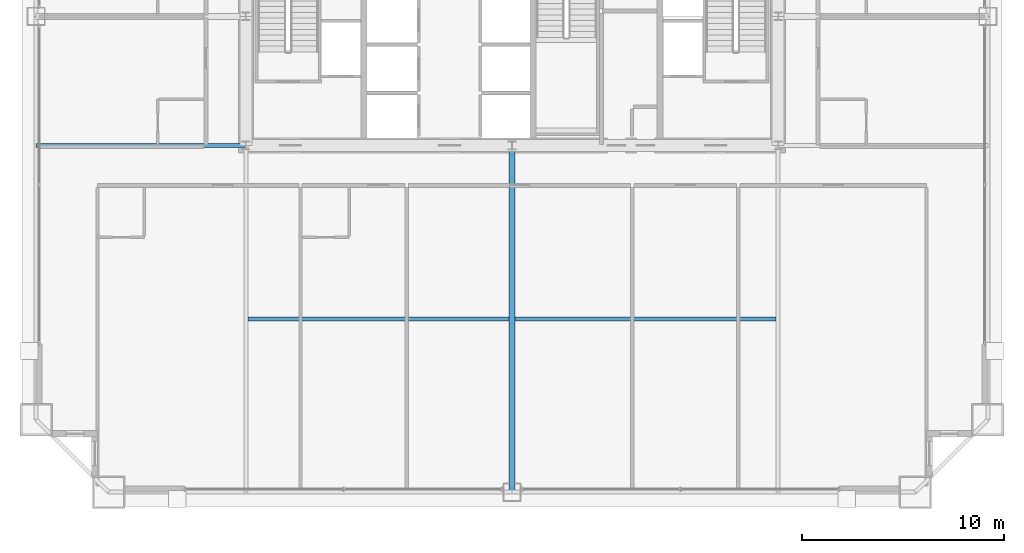
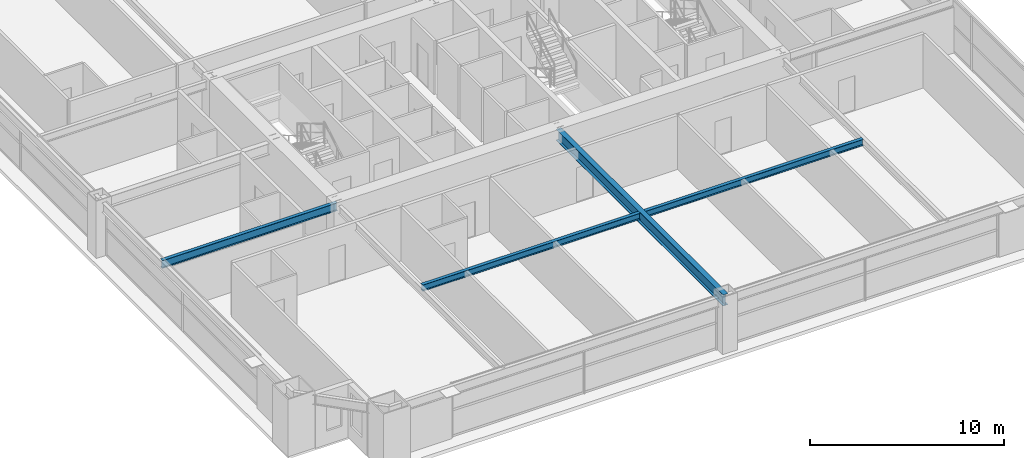
# One storey, part 11 of 39: 4 beams.
"""IFC4 building model written with IfcOpenShell, lengths in metres."""

from ifc_helpers import new_model, si_unit, direction, frame, origin, origin_2d, place, context, subcontext, project, spatial, i_section, extrude, source, transform, mapped, material, material_profile, profile_set, type_object, element, save


model = new_model("IFC4")

# Units and contexts
model_context = context("Model", 3, precision=1e-05, world=origin(), true_north=direction((0.0, 1.0)))
body_context = subcontext(model_context, "Body", "Model", "MODEL_VIEW")
ifc_project = project(units=[si_unit("LENGTHUNIT", "METRE"), si_unit("AREAUNIT", "SQUARE_METRE"), si_unit("VOLUMEUNIT", "CUBIC_METRE"), si_unit("PLANEANGLEUNIT", "RADIAN"), si_unit("MASSUNIT", "GRAM", prefix="KILO"), si_unit("THERMODYNAMICTEMPERATUREUNIT", "KELVIN"), si_unit("POWERUNIT", "WATT")], contexts=[model_context])

# Site, building, storey
site_placement = place(None, origin())
site = spatial("IfcSite", under=ifc_project, at=site_placement, CompositionType="ELEMENT")
building_placement = place(site_placement, origin())
building = spatial("IfcBuilding", under=site, at=building_placement, Name="Yuzanri Waterfront Tower", CompositionType="ELEMENT")
storey_placement = place(building_placement, frame((0.0, 0.0, 141.60009765625)))
storey = spatial("IfcBuildingStorey", under=building, at=storey_placement, Name="L37", CompositionType="ELEMENT", Elevation=141.60009765625)

# Beams
ifc_material_1 = material(Name="Steel Q355B", Category="steel")
ifc_material_profile_1 = material_profile(ifc_material_1, i_section(OverallWidth=0.199951171875, OverallDepth=0.39990234375, WebThickness=0.008056640625, FlangeThickness=0.012939453125, at=origin_2d()), Name="HN 400x200x8x13")
ifc_profile_set_1 = profile_set([ifc_material_profile_1], Name="Steel Q355B")
beam_type_1 = type_object("IfcBeamType", Name="Floor Joist Q355B HN 400x200", PredefinedType="JOIST", material=ifc_profile_set_1)
shared_shape_1 = source(origin(), body_context, "Body", "SweptSolid", [
    extrude(i_section(OverallWidth=0.199951171875, OverallDepth=0.39990234375, WebThickness=0.008056640625, FlangeThickness=0.012939453125, at=origin_2d()), origin(), (0.0, 0.0, 1.0), 12.9501953125),
])
for number, where, z_axis, x_axis, name in (
    (1, (23.89990234375, 10.800048828125, 3.179931640625), (1.0, 0.0, 0.0), (0.0, 1.0, 0.0), "L37 South Bay Joist W"),
    (2, (37.14990234375, 10.800048828125, 3.179931640625), (1.0, 0.0, 0.0), (0.0, 1.0, 0.0), "L37 South Bay Joist E"),
):
    element("IfcBeam", number, at=place(storey_placement, frame(where, z_axis=z_axis, x_axis=x_axis)), inside=storey, type_object=beam_type_1, Name=name, PredefinedType="JOIST", context=body_context, shape_type="MappedRepresentation", body=[
        mapped(shared_shape_1, transform((0.0, 0.0, 0.0), scale=1.0)),
    ])
ifc_material_2 = material(Name="Steel Q355B", Category="steel")
ifc_material_profile_2 = material_profile(ifc_material_2, i_section(OverallWidth=0.300048828125, OverallDepth=0.699951171875, WebThickness=0.012939453125, FlangeThickness=0.02392578125, at=origin_2d()), Name="HN 700x300x13x24")
ifc_profile_set_2 = profile_set([ifc_material_profile_2], Name="Steel Q355B")
beam_type_2 = type_object("IfcBeamType", Name="Primary Floor Girder Q355B HN 700x300", PredefinedType="BEAM", material=ifc_profile_set_2)
shared_shape_2 = source(origin(), body_context, "Body", "SweptSolid", [
    extrude(i_section(OverallWidth=0.300048828125, OverallDepth=0.699951171875, WebThickness=0.012939453125, FlangeThickness=0.02392578125, at=origin_2d()), origin(), (0.0, 0.0, 1.0), 17.199951171875),
])
beam_1_placement = place(storey_placement, frame((37.0, 19.39990234375, 3.02978515625), z_axis=(0.0, -1.0, 0.0), x_axis=(1.0, 0.0, 0.0)))
element("IfcBeam", 3, at=beam_1_placement, inside=storey, type_object=beam_type_2, Name="L37 South Grid Girder", PredefinedType="BEAM", context=body_context, shape_type="MappedRepresentation", body=[
    mapped(shared_shape_2, transform((0.0, 0.0, 0.0), scale=1.0)),
])
ifc_material_3 = material(Name="Steel Q355B", Category="steel")
ifc_material_profile_3 = material_profile(ifc_material_3, i_section(OverallWidth=0.199951171875, OverallDepth=0.5, WebThickness=0.010009765625, FlangeThickness=0.01611328125, at=origin_2d()), Name="HN 500x200x10x16")
ifc_profile_set_3 = profile_set([ifc_material_profile_3], Name="Steel Q355B")
beam_type_3 = type_object("IfcBeamType", Name="Secondary Floor Beam Q355B HN 500x200", PredefinedType="BEAM", material=ifc_profile_set_3)
shared_shape_3 = source(origin(), body_context, "Body", "SweptSolid", [
    extrude(i_section(OverallWidth=0.199951171875, OverallDepth=0.5, WebThickness=0.010009765625, FlangeThickness=0.01611328125, at=origin_2d()), origin(), (0.0, 0.0, 1.0), 10.400146484375),
])
beam_2_placement = place(storey_placement, frame((23.800048828125, 19.39990234375, 3.1298828125), z_axis=(-1.0, 0.0, 0.0), x_axis=(0.0, -1.0, 0.0)))
element("IfcBeam", 4, at=beam_2_placement, inside=storey, type_object=beam_type_3, Name="L37 West-South Core Line Beam", PredefinedType="BEAM", context=body_context, shape_type="MappedRepresentation", body=[
    mapped(shared_shape_3, transform((0.0, 0.0, 0.0), scale=1.0)),
])

save(model, "model.ifc")
